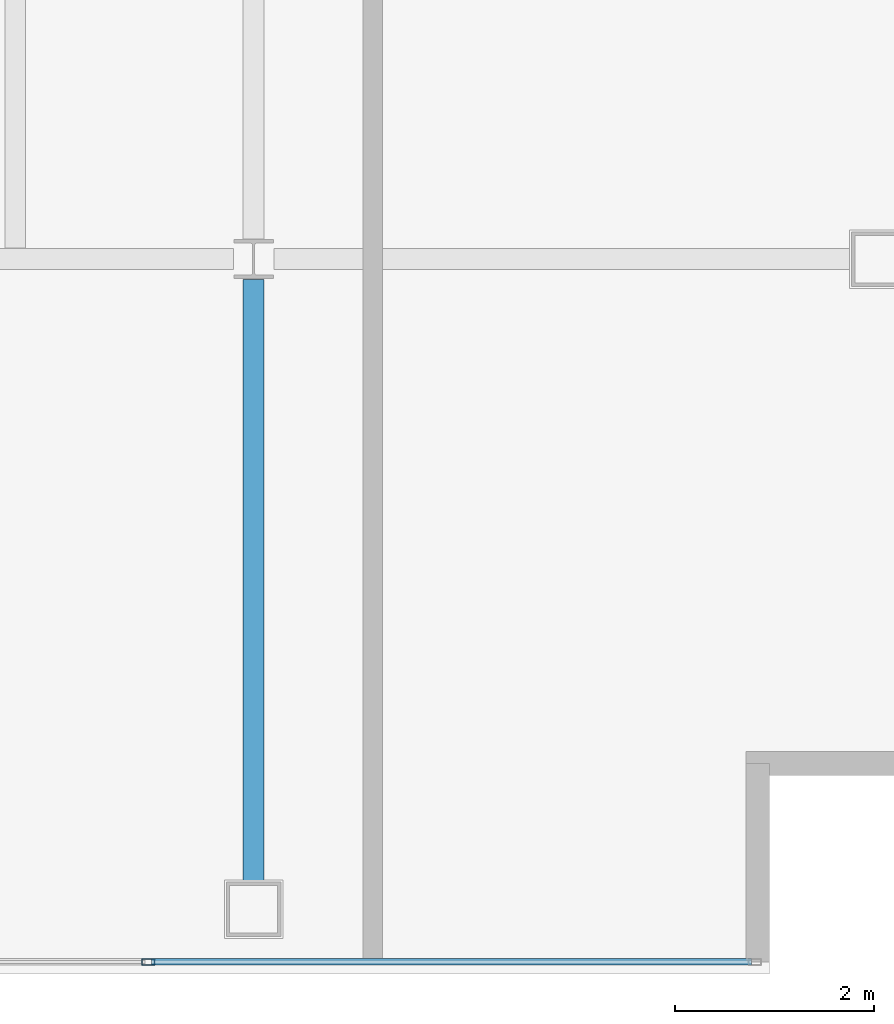
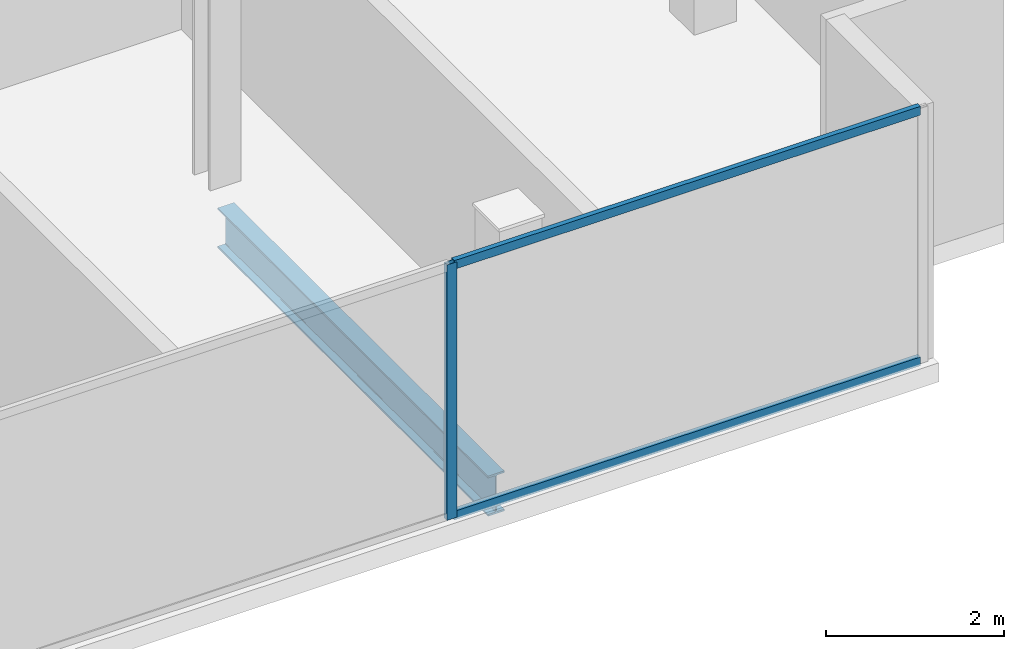
# One storey, part 4 of 15: 3 members, 1 beam, 1 element without a shape of its own.
"""IFC4 building model written with IfcOpenShell, lengths in metres."""

from ifc_helpers import new_model, si_unit, direction, frame, origin, origin_2d, place, context, subcontext, project, spatial, hollow_rectangle, i_section, extrude, material, material_profile, profile_set, type_object, element, aggregate, save


model = new_model("IFC4")

# Units and contexts
model_context = context("Model", 3, precision=1e-05, world=origin(), true_north=direction((0.0, 1.0)))
body_context = subcontext(model_context, "Body", "Model", "MODEL_VIEW")
ifc_project = project(units=[si_unit("LENGTHUNIT", "METRE"), si_unit("AREAUNIT", "SQUARE_METRE"), si_unit("VOLUMEUNIT", "CUBIC_METRE"), si_unit("PLANEANGLEUNIT", "RADIAN"), si_unit("MASSUNIT", "GRAM", prefix="KILO")], contexts=[model_context])

# Site, building, storey
site_placement = place(None, origin())
site = spatial("IfcSite", under=ifc_project, at=site_placement, CompositionType="ELEMENT")
building_placement = place(site_placement, origin())
building = spatial("IfcBuilding", under=site, at=building_placement, Name="Cobrela Telecom Tower", CompositionType="ELEMENT")
storey_placement = place(building_placement, frame((0.0, 0.0, 301.35009765625)))
storey = spatial("IfcBuildingStorey", under=building, at=storey_placement, Name="L79", CompositionType="ELEMENT", Elevation=301.35009765625)

# Beam
ifc_material_1 = material(Name="Steel ASTM A992 Grade 50", Category="steel")
ifc_material_profile_1 = material_profile(ifc_material_1, i_section(OverallWidth=0.212890625, OverallDepth=0.549072265625, WebThickness=0.0146484375, FlangeThickness=0.023681640625, FilletRadius=0.013916015625, at=origin_2d()), Name="W21X93")
ifc_profile_set_1 = profile_set([ifc_material_profile_1], Name="Steel ASTM A992 Grade 50")
beam_type = type_object("IfcBeamType", Name="BM-GIRD-08", PredefinedType="USERDEFINED", material=ifc_profile_set_1)
beam_placement = place(storey_placement, frame((21.60009765625, 8.1298828125, -0.53466796875), z_axis=(0.0, 1.0, 0.0), x_axis=(-1.0, 0.0, 0.0)))
element("IfcBeam", 1, at=beam_placement, inside=storey, type_object=beam_type, Name="L79 Primary Girder Y13", ObjectType="GIRDER", PredefinedType="USERDEFINED", context=body_context, shape_type="SweptSolid", body=[
    extrude(i_section(OverallWidth=0.212890625, OverallDepth=0.549072265625, WebThickness=0.0146484375, FlangeThickness=0.023681640625, FilletRadius=0.013916015625, at=origin_2d()), origin(), (0.0, 0.0, 1.0), 6.065673828125),
])

# Curtain wall, members
ifc_material_2 = material(Name="Anodized Bronze Aluminium 6063-T6", Category="aluminium")
curtain_wall_type = type_object("IfcCurtainWallType", Name="CW-SYS-DRUM", PredefinedType="USERDEFINED", material=ifc_material_2)
curtain_wall_placement = place(storey_placement, origin())
curtain_wall = element("IfcCurtainWall", 2, at=curtain_wall_placement, inside=storey, type_object=curtain_wall_type, Name="L79 Unitised Bronze Curtain Wall 11", ObjectType="UNITISED CURTAIN WALL", PredefinedType="USERDEFINED")
ifc_material_profile_2 = material_profile(ifc_material_2, hollow_rectangle(XDim=0.06494140625, YDim=0.1298828125, WallThickness=0.00390625, at=origin_2d()), Name="ALU 65x130x4")
ifc_profile_set_2 = profile_set([ifc_material_profile_2], Name="Anodized Bronze Aluminium 6063-T6")
member_type_1 = type_object("IfcMemberType", Name="CW-SYS-DRUM-MUL", PredefinedType="MULLION", material=ifc_profile_set_2)
member_1_placement = place(storey_placement, frame((20.5400390625, 7.320068359375, 0.0), z_axis=(0.0, 0.0, 1.0), x_axis=(0.0, -1.0, 0.0)))
member_1 = element("IfcMember", 3, at=member_1_placement, type_object=member_type_1, Name="CW-DRUM mullion 2", PredefinedType="MULLION", context=body_context, shape_type="SweptSolid", body=[
    extrude(hollow_rectangle(XDim=0.06494140625, YDim=0.1298828125, WallThickness=0.00390625, at=origin_2d()), origin(), (0.0, 0.0, 1.0), 3.5),
])
ifc_material_profile_3 = material_profile(ifc_material_2, hollow_rectangle(XDim=0.06494140625, YDim=0.1201171875, WallThickness=0.00390625, at=origin_2d()), Name="ALU 65x120x4")
ifc_profile_set_3 = profile_set([ifc_material_profile_3], Name="Anodized Bronze Aluminium 6063-T6")
member_type_2 = type_object("IfcMemberType", Name="CW-SYS-DRUM-TRN", PredefinedType="USERDEFINED", material=ifc_profile_set_3)
member_2_placement = place(storey_placement, frame((26.614990234375, 7.320068359375, 0.032470703125), z_axis=(-1.0, 0.0, 0.0), x_axis=(0.0, -1.0, 0.0)))
member_2 = element("IfcMember", 4, at=member_2_placement, type_object=member_type_2, Name="CW-DRUM transom 1.1", ObjectType="TRANSOM", PredefinedType="USERDEFINED", context=body_context, shape_type="SweptSolid", body=[
    extrude(hollow_rectangle(XDim=0.06494140625, YDim=0.1201171875, WallThickness=0.00390625, at=origin_2d()), origin(), (0.0, 0.0, 1.0), 6.04248046875),
])
member_3_placement = place(storey_placement, frame((26.614990234375, 7.320068359375, 3.46728515625), z_axis=(-1.0, 0.0, 0.0), x_axis=(0.0, -1.0, 0.0)))
member_3 = element("IfcMember", 5, at=member_3_placement, type_object=member_type_2, Name="CW-DRUM transom 1.2", ObjectType="TRANSOM", PredefinedType="USERDEFINED", context=body_context, shape_type="SweptSolid", body=[
    extrude(hollow_rectangle(XDim=0.06494140625, YDim=0.1201171875, WallThickness=0.00390625, at=origin_2d()), origin(), (0.0, 0.0, 1.0), 6.04248046875),
])
aggregate(curtain_wall, [member_1, member_2, member_3])

save(model, "model.ifc")
